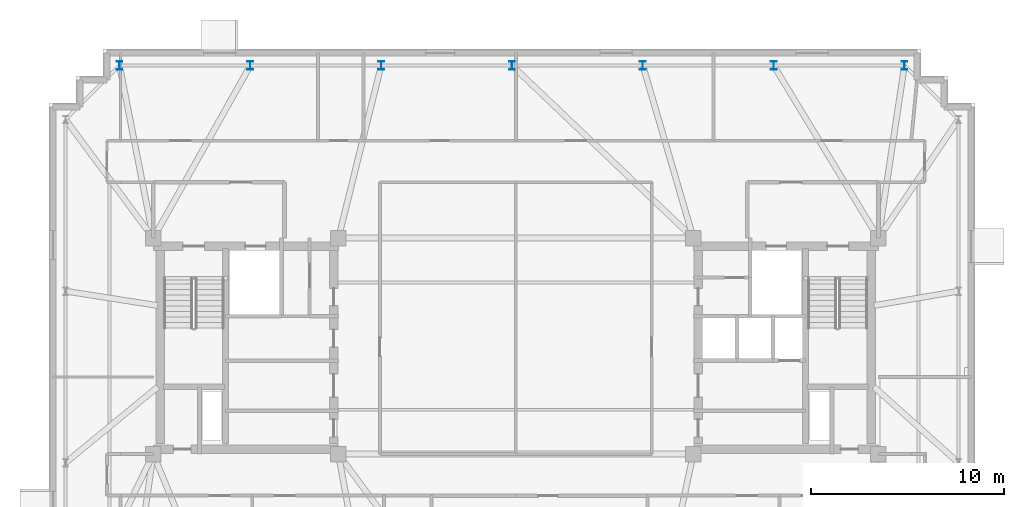
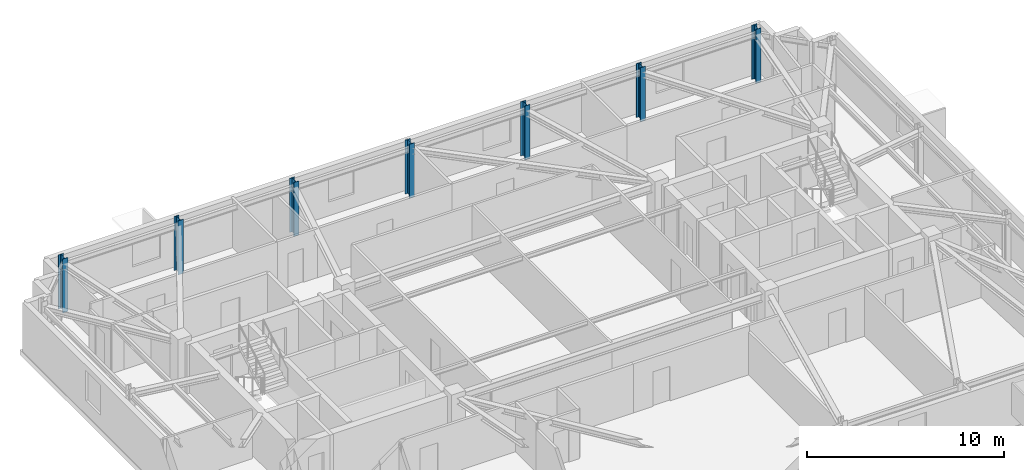
# One storey, part 3 of 10: 7 columns.
"""IFC4 building model written with IfcOpenShell, lengths in metres."""

from ifc_helpers import new_model, si_unit, direction, frame, origin, origin_2d, place, context, subcontext, project, spatial, i_section, extrude, material, material_profile, profile_set, type_object, element, save


model = new_model("IFC4")

# Units and contexts
model_context = context("Model", 3, precision=1e-05, world=origin(), true_north=direction((0.0, 1.0)))
body_context = subcontext(model_context, "Body", "Model", "MODEL_VIEW")
ifc_project = project(units=[si_unit("LENGTHUNIT", "METRE"), si_unit("AREAUNIT", "SQUARE_METRE"), si_unit("VOLUMEUNIT", "CUBIC_METRE"), si_unit("PLANEANGLEUNIT", "RADIAN"), si_unit("MASSUNIT", "GRAM", prefix="KILO")], contexts=[model_context])

# Site, building, storey
site_placement = place(None, origin())
site = spatial("IfcSite", under=ifc_project, at=site_placement, CompositionType="ELEMENT")
building_placement = place(site_placement, origin())
building = spatial("IfcBuilding", under=site, at=building_placement, Name="Qobustan Lattice House", CompositionType="ELEMENT")
storey_placement = place(building_placement, frame((0.0, 0.0, 235.0)))
storey = spatial("IfcBuildingStorey", under=building, at=storey_placement, Name="L66", CompositionType="ELEMENT", Elevation=235.0)

# Columns
ifc_material = material(Name="Steel S355", Category="steel")
ifc_material_profile = material_profile(ifc_material, i_section(OverallWidth=0.300048828125, OverallDepth=0.449951171875, WebThickness=0.013916015625, FlangeThickness=0.02587890625, FilletRadius=0.027099609375, at=origin_2d()), Name="HEB450")
ifc_profile_set = profile_set([ifc_material_profile], Name="Steel S355")
column_type = type_object("IfcColumnType", Name="COL-ST-HEB450", PredefinedType="COLUMN", material=ifc_profile_set)
for number, where, z_axis, x_axis, name in (
    (1, (20.14990234375, 14.550048828125, 0.0), (0.0, 0.0, 1.0), (1.0, 0.0, 0.0), "L66 B5 perimeter column N1"),
    (2, (13.36669921875, 14.550048828125, 0.0), (0.0, 0.0, 1.0), (1.0, 0.0, 0.0), "L66 B5 perimeter column N2"),
    (3, (6.583251953125, 14.550048828125, 0.0), (0.0, 0.0, 1.0), (1.0, 0.0, 0.0), "L66 B5 perimeter column N3"),
    (4, (-0.199951171875, 14.550048828125, 0.0), (0.0, 0.0, 1.0), (1.0, 0.0, 0.0), "L66 B5 perimeter column N4"),
    (5, (-6.9833984375, 14.550048828125, 0.0), (0.0, 0.0, 1.0), (1.0, 0.0, 0.0), "L66 B5 perimeter column N5"),
    (6, (-13.7666015625, 14.550048828125, 0.0), (0.0, 0.0, 1.0), (1.0, 0.0, 0.0), "L66 B5 perimeter column N6"),
    (7, (-20.550048828125, 14.550048828125, 0.0), (0.0, 0.0, 1.0), (1.0, 0.0, 0.0), "L66 B5 perimeter column N7"),
):
    element("IfcColumn", number, at=place(storey_placement, frame(where, z_axis=z_axis, x_axis=x_axis)), inside=storey, type_object=column_type, Name=name, PredefinedType="COLUMN", context=body_context, shape_type="SweptSolid", body=[
        extrude(i_section(OverallWidth=0.300048828125, OverallDepth=0.449951171875, WebThickness=0.013916015625, FlangeThickness=0.02587890625, FilletRadius=0.027099609375, at=origin_2d()), origin(), (0.0, 0.0, 1.0), 3.35009765625),
    ])

save(model, "model.ifc")
